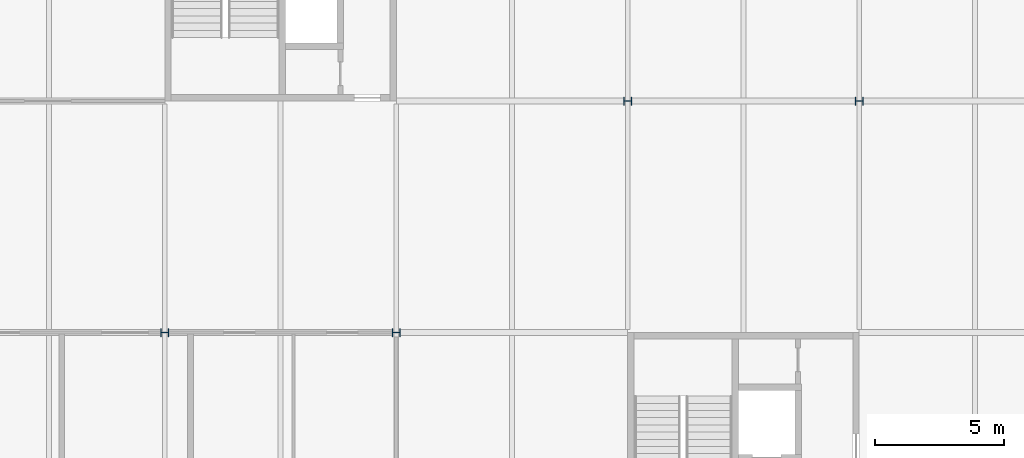
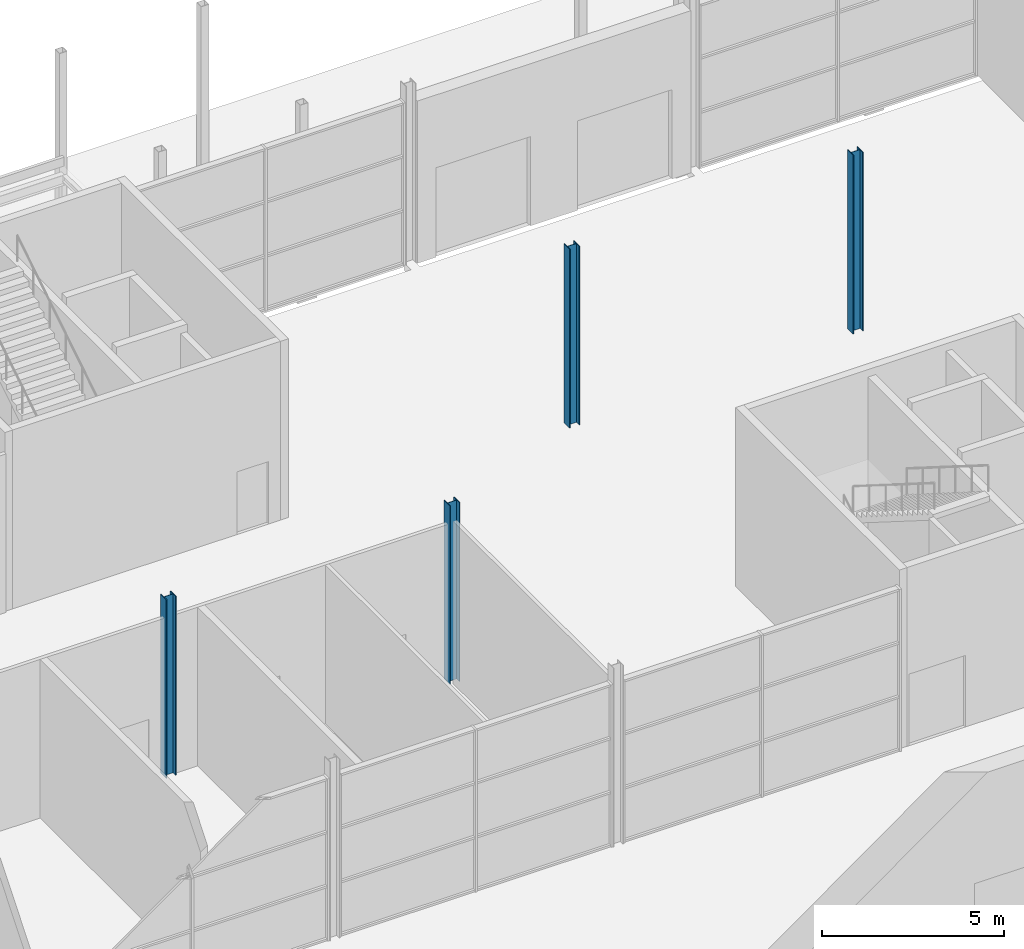
# One storey, part 21 of 97: 4 columns.
"""IFC4 building model written with IfcOpenShell, lengths in metres."""

from ifc_helpers import new_model, si_unit, direction, frame, origin, origin_2d, place, context, subcontext, project, spatial, i_section, extrude, material, material_profile, profile_set, type_object, element, save


model = new_model("IFC4")

# Units and contexts
model_context = context("Model", 3, precision=1e-05, world=origin(), true_north=direction((0.0, 1.0)))
body_context = subcontext(model_context, "Body", "Model", "MODEL_VIEW")
ifc_project = project(units=[si_unit("LENGTHUNIT", "METRE"), si_unit("AREAUNIT", "SQUARE_METRE"), si_unit("VOLUMEUNIT", "CUBIC_METRE"), si_unit("PLANEANGLEUNIT", "RADIAN"), si_unit("MASSUNIT", "GRAM", prefix="KILO")], contexts=[model_context])

# Site, building, storey
site_placement = place(None, origin())
site = spatial("IfcSite", under=ifc_project, at=site_placement, CompositionType="ELEMENT")
building_placement = place(site_placement, origin())
building = spatial("IfcBuilding", under=site, at=building_placement, Name="Corbel Yard City Hall", CompositionType="ELEMENT")
storey_placement = place(building_placement, origin())
storey = spatial("IfcBuildingStorey", under=building, at=storey_placement, Name="L00", CompositionType="ELEMENT", Elevation=0.0)

# Columns
ifc_material = material(Name="Steel Grade 300 (300 MPa yield)", Category="steel")
ifc_material_profile = material_profile(ifc_material, i_section(OverallWidth=0.31103515625, OverallDepth=0.326904296875, WebThickness=0.015625, FlangeThickness=0.02490234375, at=origin_2d()), Name="310UC158")
ifc_profile_set = profile_set([ifc_material_profile], Name="Steel Grade 300 (300 MPa yield)")
column_type = type_object("IfcColumnType", Name="Column 310UC158", PredefinedType="COLUMN", material=ifc_profile_set)
for number, where, z_axis, x_axis, name in (
    (1, (63.0, 99.0, 0.0), (0.0, 0.0, 1.0), (0.0, 1.0, 0.0), "Column 310UC158 L/8 L00"),
    (2, (72.0, 99.0, 0.0), (0.0, 0.0, 1.0), (0.0, 1.0, 0.0), "Column 310UC158 L/9 L00"),
    (3, (81.0, 108.0, 0.0), (0.0, 0.0, 1.0), (0.0, 1.0, 0.0), "Column 310UC158 M/10 L00"),
    (4, (90.0, 108.0, 0.0), (0.0, 0.0, 1.0), (0.0, 1.0, 0.0), "Column 310UC158 M/11 L00"),
):
    element("IfcColumn", number, at=place(storey_placement, frame(where, z_axis=z_axis, x_axis=x_axis)), inside=storey, type_object=column_type, Name=name, PredefinedType="COLUMN", context=body_context, shape_type="SweptSolid", body=[
        extrude(i_section(OverallWidth=0.31103515625, OverallDepth=0.326904296875, WebThickness=0.015625, FlangeThickness=0.02490234375, at=origin_2d()), origin(), (0.0, 0.0, 1.0), 6.0),
    ])

save(model, "model.ifc")
